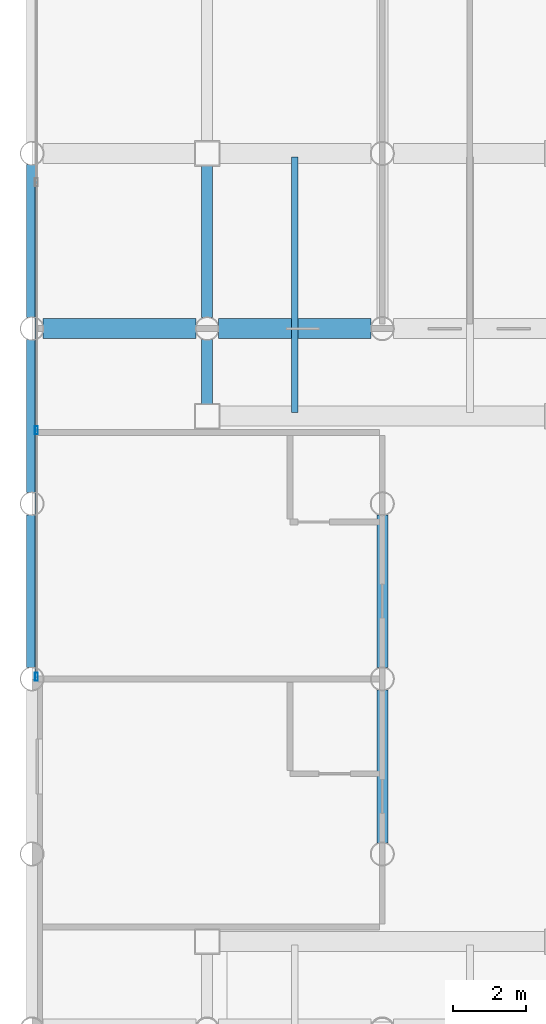
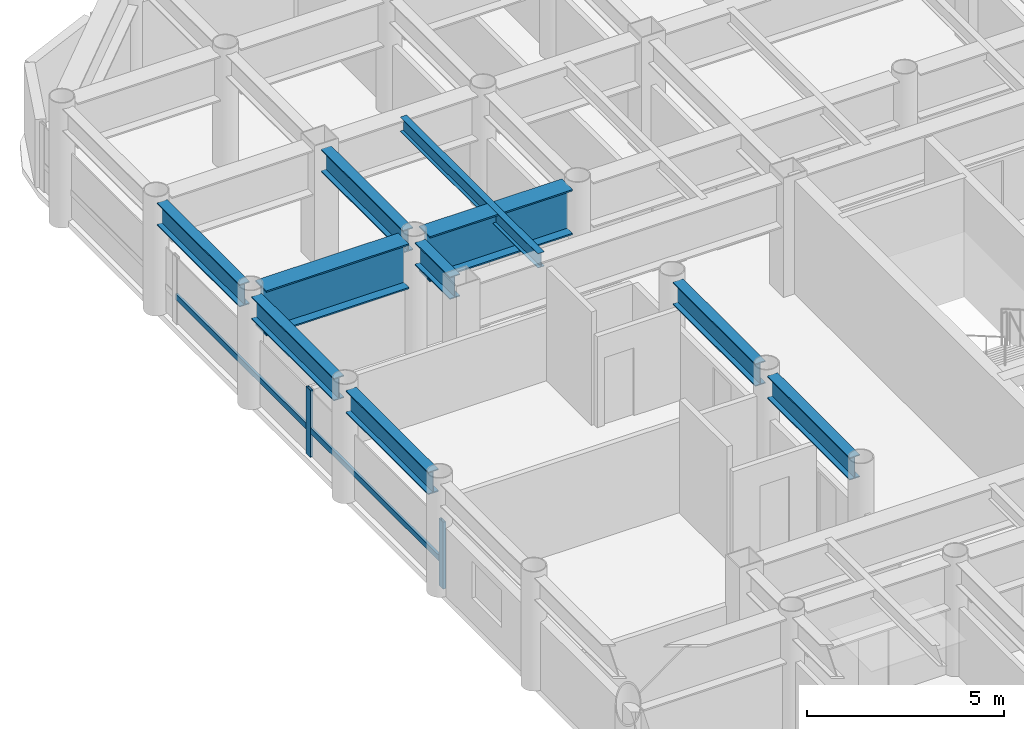
# One storey, part 5 of 22: 10 beams, 4 members, 1 element without a shape of its own.
"""IFC4 building model written with IfcOpenShell, lengths in metres."""

import ifcopenshell
import ifcopenshell.guid

model = None  # the IFC model being written
_history = None  # IfcOwnerHistory: only IFC2X3 demands one
_inside = {}  # id of a spatial element -> (the spatial element, [elements in it])
_under = {}  # id of a project, library or spatial element -> (it, [spatial elements below it])
_declared = {}  # id of a project -> (the project, [libraries it declares])
_typed = {}  # id of a type object -> (the type object, [elements of that type])
_made_of = {}  # id of a material, layer set ... -> (it, [elements and type objects made of it])


def new_model(schema):
    """Start an empty IFC model of exactly this schema.

    Asked for "IFC4X3", IfcOpenShell would pick the latest addendum, in which some entities
    have other attributes; the version numbers below select the first issue.
    IFC2X3 requires an IfcOwnerHistory on every rooted entity: one is made here for all.
    """
    global model, _history
    if schema == "IFC4X3":
        model = ifcopenshell.file(schema_version=(4, 3, 0, 0))
    else:
        model = ifcopenshell.file(schema=schema)
    _inside.clear()
    _under.clear()
    _declared.clear()
    _typed.clear()
    _made_of.clear()
    _history = None
    if model.schema == "IFC2X3":
        org = make("IfcOrganization", Name="unknown")
        user = make(
            "IfcPersonAndOrganization",
            ThePerson=make("IfcPerson", FamilyName="unknown"),
            TheOrganization=org,
        )
        app = make(
            "IfcApplication",
            ApplicationDeveloper=org,
            Version="unknown",
            ApplicationFullName="unknown",
            ApplicationIdentifier="unknown",
        )
        _history = make(
            "IfcOwnerHistory",
            OwningUser=user,
            OwningApplication=app,
            ChangeAction="ADDED",
            CreationDate=0,
        )
    return model


def make(cls, **values):
    """One entity of the class cls with the attributes given. An attribute that is None is left unset."""
    return model.create_entity(
        cls, **{name: value for name, value in values.items() if value is not None}
    )


def rooted(cls, **values):
    """An entity with a GlobalId (a new one), such as an element, a storey or a relation."""
    return make(cls, GlobalId=ifcopenshell.guid.new(), OwnerHistory=_history, **values)


def si_unit(unit_type, name, prefix=None):
    """IfcSIUnit, for example si_unit("LENGTHUNIT", "METRE", prefix="MILLI")."""
    return make("IfcSIUnit", UnitType=unit_type, Prefix=prefix, Name=name)


def assignment(units):
    """IfcUnitAssignment: the units of a project."""
    return None if units is None else make("IfcUnitAssignment", Units=units)


def point(xyz):
    """IfcCartesianPoint."""
    return None if xyz is None else make("IfcCartesianPoint", Coordinates=xyz)


def direction(xyz):
    """IfcDirection."""
    return None if xyz is None else make("IfcDirection", DirectionRatios=xyz)


def frame(location, z_axis=None, x_axis=None):
    """IfcAxis2Placement3D, a coordinate frame: its origin and axes. An axis left out is left unset."""
    return make(
        "IfcAxis2Placement3D",
        Location=point(location),
        Axis=direction(z_axis),
        RefDirection=direction(x_axis),
    )


def frame_2d(location, x_axis=None):
    """IfcAxis2Placement2D, a coordinate frame in the plane: its origin and x axis."""
    return make(
        "IfcAxis2Placement2D", Location=point(location), RefDirection=direction(x_axis)
    )


def origin():
    """The frame at (0, 0, 0) with its axes left unset."""
    return frame((0.0, 0.0, 0.0))


def origin_2d():
    """The frame at (0, 0) in the plane with its x axis left unset."""
    return frame_2d((0.0, 0.0))


def place(relative_to, where):
    """IfcLocalPlacement: puts the frame where relative to a parent placement (None: the world)."""
    return make(
        "IfcLocalPlacement", PlacementRelTo=relative_to, RelativePlacement=where
    )


def context(
    kind, dimensions, precision=None, world=None, true_north=None, identifier=None
):
    """IfcGeometricRepresentationContext, for example the 3D "Model" context."""
    return make(
        "IfcGeometricRepresentationContext",
        ContextIdentifier=identifier,
        ContextType=kind,
        CoordinateSpaceDimension=dimensions,
        Precision=precision,
        WorldCoordinateSystem=world,
        TrueNorth=true_north,
    )


def subcontext(parent, identifier, kind, view, scale=None):
    """IfcGeometricRepresentationSubContext, for example "Body" below "Model"."""
    return make(
        "IfcGeometricRepresentationSubContext",
        ContextIdentifier=identifier,
        ContextType=kind,
        ParentContext=parent,
        TargetScale=scale,
        TargetView=view,
    )


def project(units=None, contexts=None):
    """IfcProject with its units and contexts."""
    return rooted(
        "IfcProject",
        Name="project",
        RepresentationContexts=contexts,
        UnitsInContext=assignment(units),
    )


def spatial(cls, under=None, at=None, **own):
    """A site, building, storey or space (cls), placed at a placement, below another one or the project."""
    s = rooted(cls, ObjectPlacement=at, **own)
    if under is not None:
        _under.setdefault(under.id(), (under, []))[1].append(s)
    return s


def profile(cls, at=None, kind="AREA", **sizes):
    """A parametric profile (cls). Its sizes go by their IFC names, for example OverallWidth=200.0."""
    return make(cls, ProfileType=kind, Position=at, **sizes)


def hollow_rectangle(**sizes):
    """IfcRectangleHollowProfileDef."""
    return profile("IfcRectangleHollowProfileDef", **sizes)


def i_section(**sizes):
    """IfcIShapeProfileDef."""
    return profile("IfcIShapeProfileDef", **sizes)


def extrude(swept, where, along, depth):
    """IfcExtrudedAreaSolid: the profile swept, set in the frame where, extruded along a direction by depth."""
    return make(
        "IfcExtrudedAreaSolid",
        SweptArea=swept,
        Position=where,
        ExtrudedDirection=direction(along),
        Depth=depth,
    )


def shape(context_of_items, identifier, shape_type, items):
    """IfcShapeRepresentation: the items that make up one representation, for example the "Body"."""
    return make(
        "IfcShapeRepresentation",
        ContextOfItems=context_of_items,
        RepresentationIdentifier=identifier,
        RepresentationType=shape_type,
        Items=items,
    )


def material(Name=None, Category=None):
    """IfcMaterial."""
    return make("IfcMaterial", Name=Name, Category=Category)


def layer(
    of_material, thickness, ventilated=None, Name=None, Category=None, Priority=None
):
    """IfcMaterialLayer: one layer of a wall or slab, of a material (None: an air gap)."""
    return make(
        "IfcMaterialLayer",
        Material=of_material,
        LayerThickness=thickness,
        IsVentilated=ventilated,
        Name=Name,
        Category=Category,
        Priority=Priority,
    )


def layer_set(layers, Name=None):
    """IfcMaterialLayerSet."""
    return make("IfcMaterialLayerSet", MaterialLayers=layers, LayerSetName=Name)


def material_profile(
    of_material, cross_section, Name=None, Category=None, Priority=None
):
    """IfcMaterialProfile: a cross section and its material."""
    return make(
        "IfcMaterialProfile",
        Name=Name,
        Material=of_material,
        Profile=cross_section,
        Priority=Priority,
        Category=Category,
    )


def profile_set(profiles, Name=None, composite=None):
    """IfcMaterialProfileSet."""
    return make(
        "IfcMaterialProfileSet",
        Name=Name,
        MaterialProfiles=profiles,
        CompositeProfile=composite,
    )


def made_of(thing, what):
    """Note that an element or type object is made of a material, layer set ...; save() writes the relation."""
    if what is not None:
        _made_of.setdefault(what.id(), (what, []))[1].append(thing)
    return thing


def type_object(cls, material=None, **own):
    """A type object (cls), such as IfcWallType, which elements share."""
    return made_of(rooted(cls, **own), material)


def element(
    cls,
    number,
    at=None,
    inside=None,
    cuts=None,
    type_object=None,
    material=None,
    context=None,
    identifier="Body",
    shape_type=None,
    held_by="IfcProductDefinitionShape",
    body=None,
    shapes=None,
    **own,
):
    """One element of the class cls, such as IfcWall. Its Tag is "e" and its number.

    at: its placement. inside: the storey or other place that contains it. cuts: it is an
    opening in that element (IfcRelVoidsElement). A single representation is given by context,
    identifier, shape_type and body (its items); several are given by shapes. held_by: the class
    of the entity that holds the representations. save() writes the other relations.
    """
    e = rooted(cls, Tag="e%d" % number, ObjectPlacement=at, **own)
    if body is not None:
        shapes = [shape(context, identifier, shape_type, body)]
    if shapes is not None:
        e.Representation = make(held_by, Representations=shapes)
    if inside is not None:
        _inside.setdefault(inside.id(), (inside, []))[1].append(e)
    if cuts is not None:
        rooted(
            "IfcRelVoidsElement", RelatingBuildingElement=cuts, RelatedOpeningElement=e
        )
    if type_object is not None:
        _typed.setdefault(type_object.id(), (type_object, []))[1].append(e)
    return made_of(e, material)


def aggregate(whole, parts):
    """IfcRelAggregates: a whole, such as a stair, and the parts it consists of."""
    return rooted("IfcRelAggregates", RelatingObject=whole, RelatedObjects=parts)


def save(model, path):
    """Write the relations noted so far, then the file.

    IfcRelAggregates (storeys below a building ...), IfcRelContainedInSpatialStructure (elements
    in a storey), IfcRelDefinesByType, IfcRelAssociatesMaterial and IfcRelDeclares: one each for
    every whole, place, type object, material and project.
    """
    for whole, parts in _under.values():
        aggregate(whole, parts)
    for where, things in _inside.values():
        rooted(
            "IfcRelContainedInSpatialStructure",
            RelatedElements=things,
            RelatingStructure=where,
        )
    for kind, things in _typed.values():
        rooted("IfcRelDefinesByType", RelatedObjects=things, RelatingType=kind)
    for what, things in _made_of.values():
        rooted("IfcRelAssociatesMaterial", RelatedObjects=things, RelatingMaterial=what)
    for by, libraries in _declared.values():
        rooted("IfcRelDeclares", RelatingContext=by, RelatedDefinitions=libraries)
    model.write(path)


model = new_model("IFC4")

# Units and contexts
model_context = context("Model", 3, precision=1e-05, world=origin(), true_north=direction((0.0, 1.0)))
body_context = subcontext(model_context, "Body", "Model", "MODEL_VIEW")
ifc_project = project(units=[si_unit("LENGTHUNIT", "METRE"), si_unit("AREAUNIT", "SQUARE_METRE"), si_unit("VOLUMEUNIT", "CUBIC_METRE"), si_unit("PLANEANGLEUNIT", "RADIAN"), si_unit("MASSUNIT", "GRAM", prefix="KILO")], contexts=[model_context])

# Site, building, storey
site_placement = place(None, origin())
site = spatial("IfcSite", under=ifc_project, at=site_placement, CompositionType="ELEMENT")
building_placement = place(site_placement, origin())
building = spatial("IfcBuilding", under=site, at=building_placement, Name="Kallvorn Hotel Tower", CompositionType="ELEMENT")
storey_placement = place(building_placement, frame((0.0, 0.0, 95.199951171875)))
storey = spatial("IfcBuildingStorey", under=building, at=storey_placement, Name="L22", CompositionType="ELEMENT", Elevation=95.199951171875)

# Beams
ifc_material_1 = material(Name="Structural steel S355JR", Category="steel")
ifc_material_profile_1 = material_profile(ifc_material_1, i_section(OverallWidth=0.300048828125, OverallDepth=0.699951171875, WebThickness=0.01708984375, FlangeThickness=0.031982421875, at=origin_2d()), Name="HE 700 B")
ifc_profile_set_1 = profile_set([ifc_material_profile_1], Name="Structural steel S355JR")
beam_type_1 = type_object("IfcBeamType", Name="BM_HE700B", PredefinedType="BEAM", material=ifc_profile_set_1)
beam_1_placement = place(storey_placement, frame((-28.800048828125, 0.304931640625, 3.170166015625), z_axis=(0.0, 1.0, 0.0), x_axis=(-1.0, 0.0, 0.0)))
element("IfcBeam", 1, at=beam_1_placement, inside=storey, type_object=beam_type_1, Name="L23 Primary Y-Girder 77", PredefinedType="BEAM", context=body_context, shape_type="SweptSolid", body=[
    extrude(i_section(OverallWidth=0.300048828125, OverallDepth=0.699951171875, WebThickness=0.01708984375, FlangeThickness=0.031982421875, at=origin_2d()), origin(), (0.0, 0.0, 1.0), 4.190185546875),
])
for number, where, z_axis, x_axis, name in (
    (2, (-28.800048828125, 5.10498046875, 3.170166015625), (0.0, 1.0, 0.0), (-1.0, 0.0, 0.0), "L23 Primary Y-Girder 78"),
    (3, (-28.800048828125, 9.905029296875, 3.170166015625), (0.0, 1.0, 0.0), (-1.0, 0.0, 0.0), "L23 Primary Y-Girder 79"),
):
    element("IfcBeam", number, at=place(storey_placement, frame(where, z_axis=z_axis, x_axis=x_axis)), inside=storey, type_object=beam_type_1, Name=name, PredefinedType="BEAM", context=body_context, shape_type="SweptSolid", body=[
        extrude(i_section(OverallWidth=0.300048828125, OverallDepth=0.699951171875, WebThickness=0.01708984375, FlangeThickness=0.031982421875, at=origin_2d()), origin(), (0.0, 0.0, 1.0), 4.18994140625),
    ])
beam_2_placement = place(storey_placement, frame((-24.0, 7.52490234375, 3.170166015625), z_axis=(0.0, 1.0, 0.0), x_axis=(-1.0, 0.0, 0.0)))
element("IfcBeam", 4, at=beam_2_placement, inside=storey, type_object=beam_type_1, Name="L23 Primary Y-Girder 84", PredefinedType="BEAM", context=body_context, shape_type="SweptSolid", body=[
    extrude(i_section(OverallWidth=0.300048828125, OverallDepth=0.699951171875, WebThickness=0.01708984375, FlangeThickness=0.031982421875, at=origin_2d()), origin(), (0.0, 0.0, 1.0), 1.77001953125),
])
beam_3_placement = place(storey_placement, frame((-24.0, 9.905029296875, 3.170166015625), z_axis=(0.0, 1.0, 0.0), x_axis=(-1.0, 0.0, 0.0)))
element("IfcBeam", 5, at=beam_3_placement, inside=storey, type_object=beam_type_1, Name="L23 Primary Y-Girder 85", PredefinedType="BEAM", context=body_context, shape_type="SweptSolid", body=[
    extrude(i_section(OverallWidth=0.300048828125, OverallDepth=0.699951171875, WebThickness=0.01708984375, FlangeThickness=0.031982421875, at=origin_2d()), origin(), (0.0, 0.0, 1.0), 4.169921875),
])
for number, where, z_axis, x_axis, name in (
    (6, (-19.199951171875, -4.4951171875, 3.170166015625), (0.0, 1.0, 0.0), (-1.0, 0.0, 0.0), "L23 Primary Y-Girder 91"),
    (7, (-19.199951171875, 0.304931640625, 3.170166015625), (0.0, 1.0, 0.0), (-1.0, 0.0, 0.0), "L23 Primary Y-Girder 92"),
):
    element("IfcBeam", number, at=place(storey_placement, frame(where, z_axis=z_axis, x_axis=x_axis)), inside=storey, type_object=beam_type_1, Name=name, PredefinedType="BEAM", context=body_context, shape_type="SweptSolid", body=[
        extrude(i_section(OverallWidth=0.300048828125, OverallDepth=0.699951171875, WebThickness=0.01708984375, FlangeThickness=0.031982421875, at=origin_2d()), origin(), (0.0, 0.0, 1.0), 4.190185546875),
    ])
ifc_material_2 = material(Name="Structural steel S355JR", Category="steel")
ifc_material_profile_2 = material_profile(ifc_material_2, i_section(OverallWidth=0.18994140625, OverallDepth=0.449951171875, WebThickness=0.009521484375, FlangeThickness=0.0146484375, at=origin_2d()), Name="IPE 450")
ifc_profile_set_2 = profile_set([ifc_material_profile_2], Name="Structural steel S355JR")
beam_type_2 = type_object("IfcBeamType", Name="BM_IPE450", PredefinedType="JOIST", material=ifc_profile_set_2)
beam_4_placement = place(storey_placement, frame((-21.60009765625, 7.300048828125, 3.295166015625), z_axis=(0.0, 1.0, 0.0), x_axis=(-1.0, 0.0, 0.0)))
element("IfcBeam", 8, at=beam_4_placement, inside=storey, type_object=beam_type_2, Name="L23 Secondary Composite Joist 193", PredefinedType="JOIST", context=body_context, shape_type="SweptSolid", body=[
    extrude(i_section(OverallWidth=0.18994140625, OverallDepth=0.449951171875, WebThickness=0.009521484375, FlangeThickness=0.0146484375, at=origin_2d()), origin(), (0.0, 0.0, 1.0), 7.0),
])
ifc_material_3 = material(Name="Structural steel S355JR", Category="steel")
ifc_material_profile_3 = material_profile(ifc_material_3, i_section(OverallWidth=0.550048828125, OverallDepth=1.39990234375, WebThickness=0.02490234375, FlangeThickness=0.044921875, at=origin_2d()), Name="PG 1400x550x25x45")
ifc_profile_set_3 = profile_set([ifc_material_profile_3], Name="Structural steel S355JR")
beam_type_3 = type_object("IfcBeamType", Name="BM_PG_1400", PredefinedType="BEAM", material=ifc_profile_set_3)
for number, where, z_axis, x_axis, name in (
    (9, (-28.4951171875, 9.60009765625, 2.820068359375), (1.0, 0.0, 0.0), (0.0, 1.0, 0.0), "L23 Primary X-Girder 41"),
    (10, (-23.695068359375, 9.60009765625, 2.820068359375), (1.0, 0.0, 0.0), (0.0, 1.0, 0.0), "L23 Primary X-Girder 42"),
):
    element("IfcBeam", number, at=place(storey_placement, frame(where, z_axis=z_axis, x_axis=x_axis)), inside=storey, type_object=beam_type_3, Name=name, PredefinedType="BEAM", context=body_context, shape_type="SweptSolid", body=[
        extrude(i_section(OverallWidth=0.550048828125, OverallDepth=1.39990234375, WebThickness=0.02490234375, FlangeThickness=0.044921875, at=origin_2d()), origin(), (0.0, 0.0, 1.0), 4.190185546875),
    ])

# Curtain wall, members
ifc_material_4 = material(Name="Thermally broken black-anodised aluminium AA 6063-T6", Category="aluminium")
ifc_layer = layer(ifc_material_4, 0.199951171875)
ifc_layer_set = layer_set([ifc_layer], Name="CW_SYS_3_HOTEL_LOW")
curtain_wall_type = type_object("IfcCurtainWallType", Name="CW_SYS_3_HOTEL_LOW", PredefinedType="USERDEFINED", material=ifc_layer_set)
curtain_wall_placement = place(storey_placement, origin())
curtain_wall = element("IfcCurtainWall", 11, at=curtain_wall_placement, inside=storey, type_object=curtain_wall_type, Name="L22 Dark-Glass Curtain Wall CW-L22-WN", ObjectType="UNITISED CURTAIN WALL", PredefinedType="USERDEFINED")
ifc_material_5 = material(Name="Thermally broken black-anodised aluminium AA 6063-T6", Category="aluminium")
ifc_material_profile_4 = material_profile(ifc_material_5, hollow_rectangle(XDim=0.080078125, YDim=0.219970703125, WallThickness=0.0048828125, at=origin_2d()), Name="MUL 220x80")
ifc_profile_set_4 = profile_set([ifc_material_profile_4], Name="Thermally broken black-anodised aluminium AA 6063-T6")
member_type_1 = type_object("IfcMemberType", Name="CW_MULLION_220x80", PredefinedType="MULLION", material=ifc_profile_set_4)
member_1_placement = place(storey_placement, frame((-28.679931640625, 0.06005859375, 0.02001953125), z_axis=(0.0, 0.0, 1.0), x_axis=(1.0, 0.0, 0.0)))
member_1 = element("IfcMember", 12, at=member_1_placement, type_object=member_type_1, Name="CW-L22-WN Mullion 00", PredefinedType="MULLION", context=body_context, shape_type="SweptSolid", body=[
    extrude(hollow_rectangle(XDim=0.080078125, YDim=0.219970703125, WallThickness=0.0048828125, at=origin_2d()), origin(), (0.0, 0.0, 1.0), 2.080078125),
])
member_2_placement = place(storey_placement, frame((-28.679931640625, 6.813232421875, 0.02001953125), z_axis=(0.0, 0.0, 1.0), x_axis=(1.0, 0.0, 0.0)))
member_2 = element("IfcMember", 13, at=member_2_placement, type_object=member_type_1, Name="CW-L22-WN Mullion 01", PredefinedType="MULLION", context=body_context, shape_type="SweptSolid", body=[
    extrude(hollow_rectangle(XDim=0.080078125, YDim=0.219970703125, WallThickness=0.0048828125, at=origin_2d()), origin(), (0.0, 0.0, 1.0), 2.080078125),
])
ifc_material_6 = material(Name="Thermally broken black-anodised aluminium AA 6063-T6", Category="aluminium")
ifc_material_profile_5 = material_profile(ifc_material_6, hollow_rectangle(XDim=0.070068359375, YDim=0.179931640625, WallThickness=0.00390625, at=origin_2d()), Name="TRN 180x70")
ifc_profile_set_5 = profile_set([ifc_material_profile_5], Name="Thermally broken black-anodised aluminium AA 6063-T6")
member_type_2 = type_object("IfcMemberType", Name="CW_TRANSOM_180x70", PredefinedType="USERDEFINED", material=ifc_profile_set_5)
member_3_placement = place(storey_placement, frame((-28.679931640625, 0.06005859375, 0.85009765625), z_axis=(0.0, 1.0, 0.0), x_axis=(-1.0, 0.0, 0.0)))
member_3 = element("IfcMember", 14, at=member_3_placement, type_object=member_type_2, Name="CW-L22-WN Transom 00M", ObjectType="TRANSOM", PredefinedType="USERDEFINED", context=body_context, shape_type="SweptSolid", body=[
    extrude(hollow_rectangle(XDim=0.070068359375, YDim=0.179931640625, WallThickness=0.00390625, at=origin_2d()), origin(), (0.0, 0.0, 1.0), 6.713134765625),
])
member_4_placement = place(storey_placement, frame((-28.679931640625, 6.853271484375, 0.85009765625), z_axis=(0.0, 1.0, 0.0), x_axis=(-1.0, 0.0, 0.0)))
member_4 = element("IfcMember", 15, at=member_4_placement, type_object=member_type_2, Name="CW-L22-WN Transom 01M", ObjectType="TRANSOM", PredefinedType="USERDEFINED", context=body_context, shape_type="SweptSolid", body=[
    extrude(hollow_rectangle(XDim=0.070068359375, YDim=0.179931640625, WallThickness=0.00390625, at=origin_2d()), origin(), (0.0, 0.0, 1.0), 6.71337890625),
])
aggregate(curtain_wall, [member_1, member_2, member_3, member_4])

save(model, "model.ifc")
